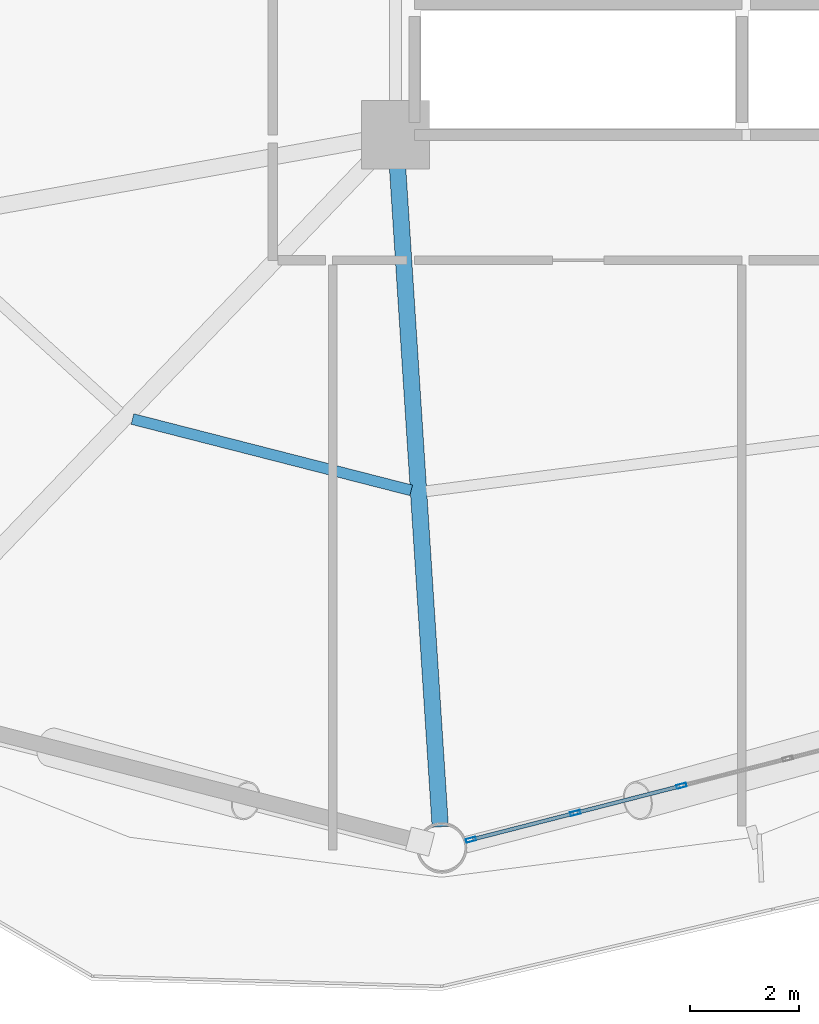
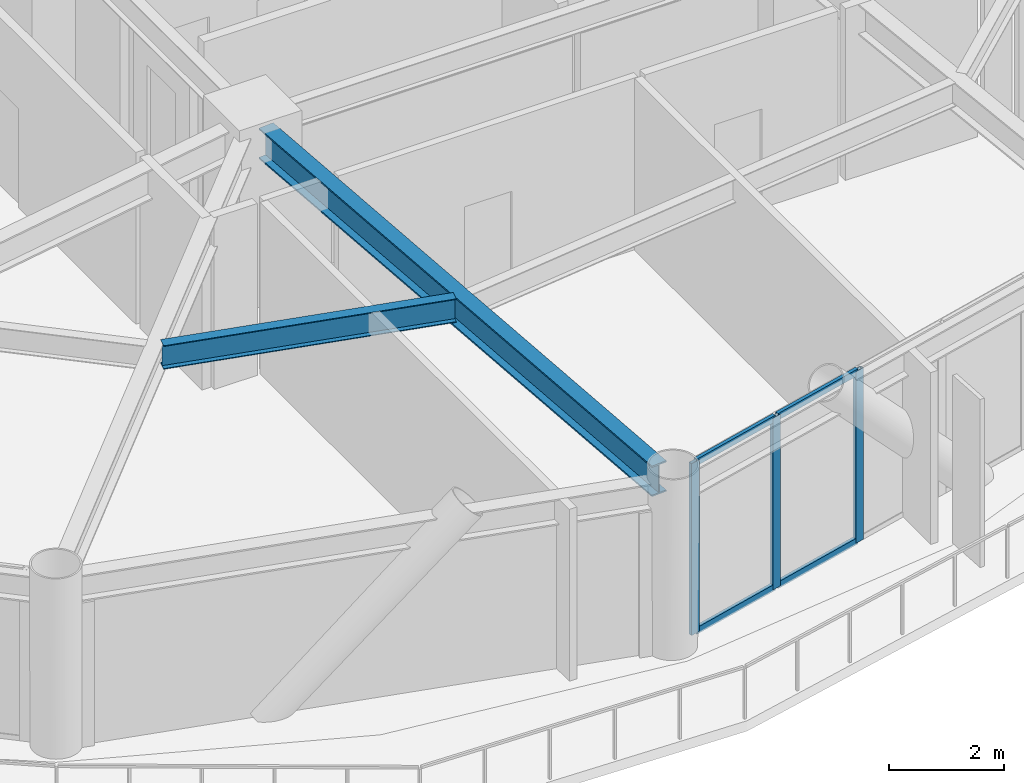
# One storey, part 5 of 22: 7 members, 2 beams, 1 element without a shape of its own.
"""IFC4 building model written with IfcOpenShell, lengths in metres."""

from ifc_helpers import new_model, si_unit, direction, frame, origin, origin_2d, place, context, subcontext, project, spatial, hollow_rectangle, i_section, extrude, material, layer, layer_set, material_profile, profile_set, type_object, element, aggregate, save


model = new_model("IFC4")

# Units and contexts
model_context = context("Model", 3, precision=1e-05, world=origin(), true_north=direction((0.0, 1.0)))
body_context = subcontext(model_context, "Body", "Model", "MODEL_VIEW")
ifc_project = project(units=[si_unit("LENGTHUNIT", "METRE"), si_unit("AREAUNIT", "SQUARE_METRE"), si_unit("VOLUMEUNIT", "CUBIC_METRE"), si_unit("PLANEANGLEUNIT", "RADIAN"), si_unit("MASSUNIT", "GRAM", prefix="KILO")], contexts=[model_context])

# Site, building, storey
site_placement = place(None, origin())
site = spatial("IfcSite", under=ifc_project, at=site_placement, CompositionType="ELEMENT")
building_placement = place(site_placement, origin())
building = spatial("IfcBuilding", under=site, at=building_placement, Name="Varnakorn Sky Granary", CompositionType="ELEMENT")
storey_placement = place(building_placement, frame((0.0, 0.0, 66.60009765625)))
storey = spatial("IfcBuildingStorey", under=building, at=storey_placement, Name="L16", CompositionType="ELEMENT", Elevation=66.60009765625)

# Beams
ifc_material_1 = material(Name="Steel S355JR", Category="steel")
ifc_material_profile_1 = material_profile(ifc_material_1, i_section(OverallWidth=0.300048828125, OverallDepth=0.64990234375, WebThickness=0.01611328125, FlangeThickness=0.031005859375, at=origin_2d()), Name="HE 650 B")
ifc_profile_set_1 = profile_set([ifc_material_profile_1], Name="Steel S355JR")
beam_type_1 = type_object("IfcBeamType", Name="BM-RAD-Z1", PredefinedType="BEAM", material=ifc_profile_set_1)
beam_1_placement = place(storey_placement, frame((-2.322998046875, -7.01904296875, 3.31494140625), z_axis=(0.064617029481, -0.997910135985, 0.0), x_axis=(0.997910135985, 0.064617029481, 0.0)))
element("IfcBeam", 1, at=beam_1_placement, inside=storey, type_object=beam_type_1, Name="Radial Floor Girder RG10 L16", PredefinedType="BEAM", context=body_context, shape_type="SweptSolid", body=[
    extrude(i_section(OverallWidth=0.300048828125, OverallDepth=0.64990234375, WebThickness=0.01611328125, FlangeThickness=0.031005859375, at=origin_2d()), origin(), (0.0, 0.0, 1.0), 12.29443359375),
])
ifc_material_profile_2 = material_profile(ifc_material_1, i_section(OverallWidth=0.199951171875, OverallDepth=0.5, WebThickness=0.01025390625, FlangeThickness=0.01611328125, at=origin_2d()), Name="IPE 500")
ifc_profile_set_2 = profile_set([ifc_material_profile_2], Name="Steel S355JR")
beam_type_2 = type_object("IfcBeamType", Name="BM-SEC-Z1", PredefinedType="BEAM", material=ifc_profile_set_2)
beam_2_placement = place(storey_placement, frame((-7.17138671875, -11.811279296875, 3.389892578125), z_axis=(0.96878538646, -0.247900937838, 0.0), x_axis=(0.247900937838, 0.96878538646, 0.0)))
element("IfcBeam", 2, at=beam_2_placement, inside=storey, type_object=beam_type_2, Name="Secondary Floor Chord Beam MSB09 L16", PredefinedType="BEAM", context=body_context, shape_type="SweptSolid", body=[
    extrude(i_section(OverallWidth=0.199951171875, OverallDepth=0.5, WebThickness=0.01025390625, FlangeThickness=0.01611328125, at=origin_2d()), origin(), (0.0, 0.0, 1.0), 5.274658203125),
])

# Curtain wall, members
ifc_material_2 = material(Name="Anodised Bronze Aluminium Alloy 6063-T6", Category="aluminium")
ifc_layer = layer(ifc_material_2, 0.18994140625, Name="Anodised Bronze Aluminium Alloy 6063-T6")
ifc_layer_set = layer_set([ifc_layer], Name="Anodised Bronze Aluminium Alloy 6063-T6")
curtain_wall_type = type_object("IfcCurtainWallType", Name="CW-FRM-1", PredefinedType="USERDEFINED", material=ifc_layer_set)
curtain_wall_placement = place(storey_placement, origin())
curtain_wall = element("IfcCurtainWall", 3, at=curtain_wall_placement, inside=storey, type_object=curtain_wall_type, Name="Unitised Curtain Wall CW3 CW-L16-B10", ObjectType="CURTAIN WALL", PredefinedType="USERDEFINED")
ifc_material_profile_3 = material_profile(ifc_material_2, hollow_rectangle(XDim=0.070068359375, YDim=0.18505859375, WallThickness=0.00390625, at=origin_2d()), Name="ALU MULL 70x185")
ifc_profile_set_3 = profile_set([ifc_material_profile_3], Name="Anodised Bronze Aluminium Alloy 6063-T6")
member_type_1 = type_object("IfcMemberType", Name="CW-FRM-1-MULL", PredefinedType="MULLION", material=ifc_profile_set_3)
member_1_placement = place(storey_placement, frame((2.89501953125, -18.535888671875, 0.0), z_axis=(0.0, 0.0, 1.0), x_axis=(0.248211359379, -0.968705900196, 0.0)))
member_1 = element("IfcMember", 4, at=member_1_placement, type_object=member_type_1, Name="CW3 mullion 4", PredefinedType="MULLION", context=body_context, shape_type="SweptSolid", body=[
    extrude(hollow_rectangle(XDim=0.070068359375, YDim=0.18505859375, WallThickness=0.00390625, at=origin_2d()), origin(), (0.0, 0.0, 1.0), 3.639892578125),
])
member_2_placement = place(storey_placement, frame((0.947998046875, -19.034912109375, 0.0), z_axis=(0.0, 0.0, 1.0), x_axis=(0.248211359379, -0.968705900196, 0.0)))
member_2 = element("IfcMember", 5, at=member_2_placement, type_object=member_type_1, Name="CW3 mullion 5", PredefinedType="MULLION", context=body_context, shape_type="SweptSolid", body=[
    extrude(hollow_rectangle(XDim=0.070068359375, YDim=0.18505859375, WallThickness=0.00390625, at=origin_2d()), origin(), (0.0, 0.0, 1.0), 3.639892578125),
])
member_3_placement = place(storey_placement, frame((-0.96533203125, -19.52490234375, 0.0), z_axis=(0.0, 0.0, 1.0), x_axis=(0.248211359379, -0.968705900196, 0.0)))
member_3 = element("IfcMember", 6, at=member_3_placement, type_object=member_type_1, Name="CW3 mullion 6", PredefinedType="MULLION", context=body_context, shape_type="SweptSolid", body=[
    extrude(hollow_rectangle(XDim=0.070068359375, YDim=0.18505859375, WallThickness=0.00390625, at=origin_2d()), origin(), (0.0, 0.0, 1.0), 3.639892578125),
])
ifc_material_profile_4 = material_profile(ifc_material_2, hollow_rectangle(XDim=0.070068359375, YDim=0.139892578125, WallThickness=0.00341796875, at=origin_2d()), Name="ALU TRAN 70x140")
ifc_profile_set_4 = profile_set([ifc_material_profile_4], Name="Anodised Bronze Aluminium Alloy 6063-T6")
member_type_2 = type_object("IfcMemberType", Name="CW-FRM-1-TRAN", PredefinedType="USERDEFINED", material=ifc_profile_set_4)
member_4_placement = place(storey_placement, frame((2.861083984375, -18.544677734375, 0.034912109375), z_axis=(-0.968719736099, -0.248157355104, 0.0), x_axis=(0.248157355104, -0.968719736099, 0.0)))
member_4 = element("IfcMember", 7, at=member_4_placement, type_object=member_type_2, Name="CW3 transom 4.1", ObjectType="TRANSOM", PredefinedType="USERDEFINED", context=body_context, shape_type="SweptSolid", body=[
    extrude(hollow_rectangle(XDim=0.070068359375, YDim=0.139892578125, WallThickness=0.00341796875, at=origin_2d()), origin(), (0.0, 0.0, 1.0), 1.940185546875),
])
member_5_placement = place(storey_placement, frame((2.861083984375, -18.544677734375, 3.60498046875), z_axis=(-0.968719736099, -0.248157355104, 0.0), x_axis=(0.248157355104, -0.968719736099, 0.0)))
member_5 = element("IfcMember", 8, at=member_5_placement, type_object=member_type_2, Name="CW3 transom 4.2", ObjectType="TRANSOM", PredefinedType="USERDEFINED", context=body_context, shape_type="SweptSolid", body=[
    extrude(hollow_rectangle(XDim=0.070068359375, YDim=0.139892578125, WallThickness=0.00341796875, at=origin_2d()), origin(), (0.0, 0.0, 1.0), 1.940185546875),
])
member_6_placement = place(storey_placement, frame((0.9140625, -19.04345703125, 0.034912109375), z_axis=(-0.968701012171, -0.248230435319, 0.0), x_axis=(0.248230435319, -0.968701012171, 0.0)))
member_6 = element("IfcMember", 9, at=member_6_placement, type_object=member_type_2, Name="CW3 transom 5.1", ObjectType="TRANSOM", PredefinedType="USERDEFINED", context=body_context, shape_type="SweptSolid", body=[
    extrude(hollow_rectangle(XDim=0.070068359375, YDim=0.139892578125, WallThickness=0.00341796875, at=origin_2d()), origin(), (0.0, 0.0, 1.0), 1.905029296875),
])
member_7_placement = place(storey_placement, frame((0.9140625, -19.04345703125, 3.60498046875), z_axis=(-0.968701012171, -0.248230435319, 0.0), x_axis=(0.248230435319, -0.968701012171, 0.0)))
member_7 = element("IfcMember", 10, at=member_7_placement, type_object=member_type_2, Name="CW3 transom 5.2", ObjectType="TRANSOM", PredefinedType="USERDEFINED", context=body_context, shape_type="SweptSolid", body=[
    extrude(hollow_rectangle(XDim=0.070068359375, YDim=0.139892578125, WallThickness=0.00341796875, at=origin_2d()), origin(), (0.0, 0.0, 1.0), 1.905029296875),
])
aggregate(curtain_wall, [member_1, member_2, member_3, member_4, member_5, member_6, member_7])

save(model, "model.ifc")
